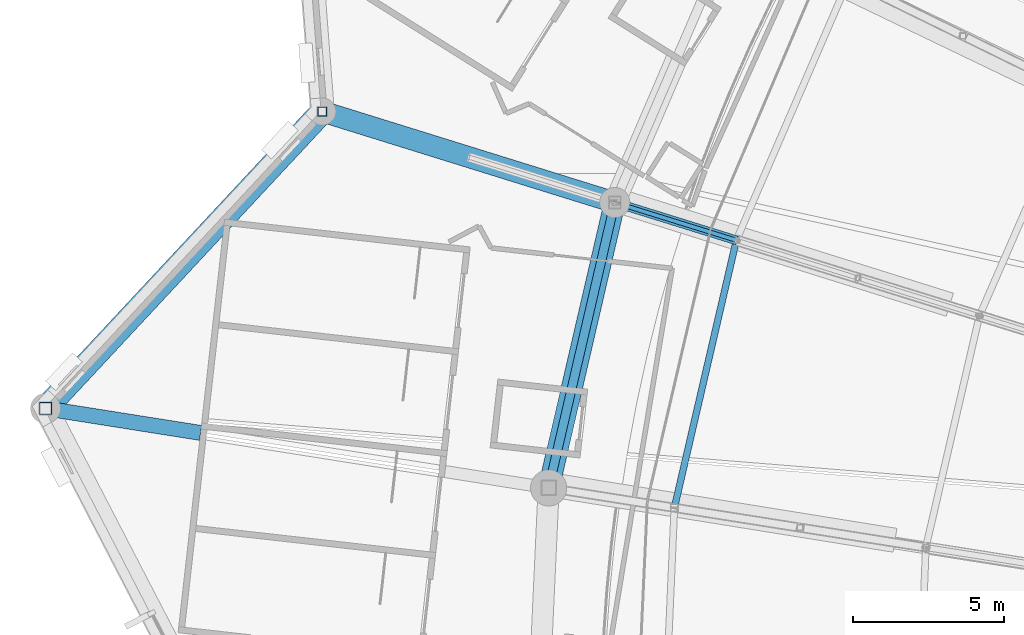
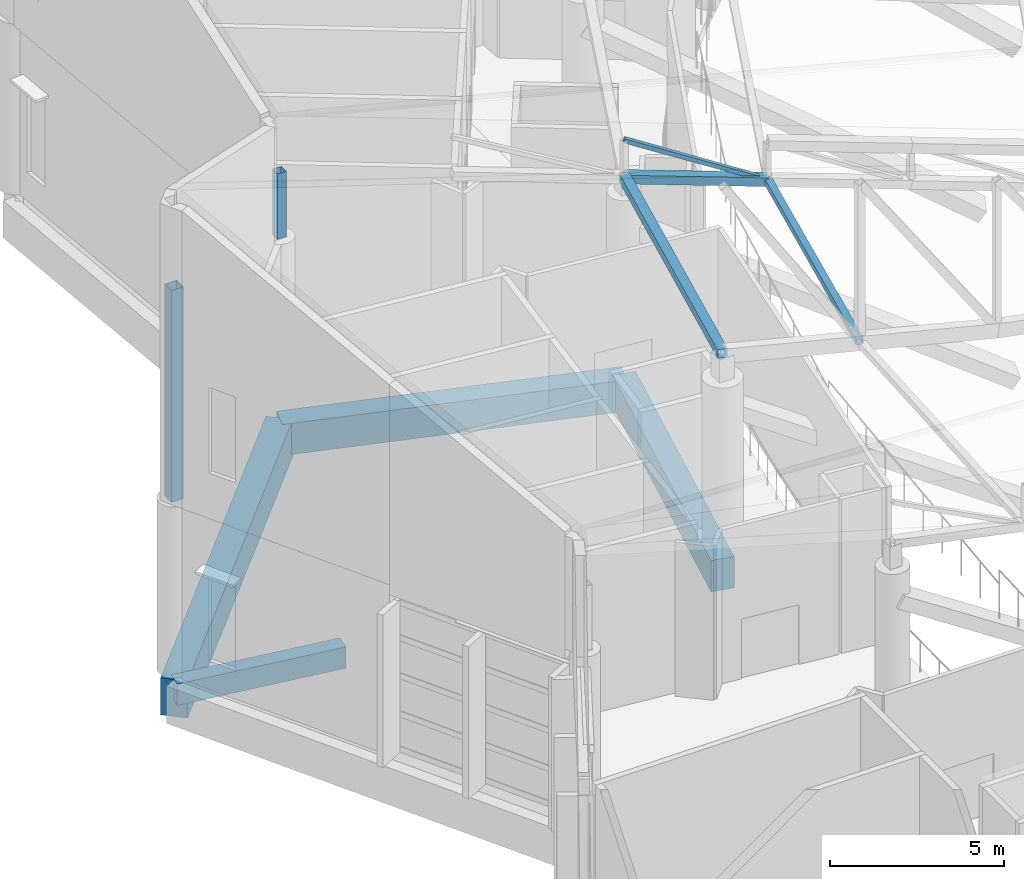
# One storey, part 127 of 344: 6 members, 4 beams.
"""IFC4 building model written with IfcOpenShell, lengths in metres."""

from ifc_helpers import new_model, si_unit, direction, frame, origin, origin_2d, place, context, subcontext, project, spatial, rectangle, hollow_rectangle, extrude, material, material_profile, profile_set, type_object, element, save


model = new_model("IFC4")

# Units and contexts
model_context = context("Model", 3, precision=1e-05, world=origin(), true_north=direction((0.0, 1.0)))
body_context = subcontext(model_context, "Body", "Model", "MODEL_VIEW")
ifc_project = project(units=[si_unit("LENGTHUNIT", "METRE"), si_unit("AREAUNIT", "SQUARE_METRE"), si_unit("VOLUMEUNIT", "CUBIC_METRE"), si_unit("PLANEANGLEUNIT", "RADIAN"), si_unit("MASSUNIT", "GRAM", prefix="KILO")], contexts=[model_context])

# Site, building, storey
site_placement = place(None, origin())
site = spatial("IfcSite", under=ifc_project, at=site_placement, CompositionType="ELEMENT")
building_placement = place(site_placement, origin())
building = spatial("IfcBuilding", under=site, at=building_placement, Name="Meseta Stadium", CompositionType="ELEMENT")
storey_placement = place(building_placement, frame((0.0, 0.0, 24.0)))
storey = spatial("IfcBuildingStorey", under=building, at=storey_placement, Name="L04", CompositionType="ELEMENT", Elevation=24.0)

# Beams
ifc_material_1 = material(Name="Concrete C40/50", Category="concrete")
ifc_material_profile_1 = material_profile(ifc_material_1, rectangle(XDim=0.5, YDim=0.75, at=origin_2d()), Name="RC 500x750")
ifc_profile_set_1 = profile_set([ifc_material_profile_1], Name="Concrete C40/50")
beam_type_1 = type_object("IfcBeamType", Name="RC beam 500x750", PredefinedType="BEAM", material=ifc_profile_set_1)
beam_1_placement = place(storey_placement, frame((-95.910400390625, 55.390380859375, -0.77490234375), z_axis=(-0.987742039994, 0.156095042932, 0.0), x_axis=(-0.156095042932, -0.987742039994, 0.0)))
element("IfcBeam", 1, at=beam_1_placement, inside=storey, type_object=beam_type_1, Name="L04 radial beam frame 28 line P to R", PredefinedType="BEAM", context=body_context, shape_type="SweptSolid", body=[
    extrude(rectangle(XDim=0.5, YDim=0.75, at=origin_2d()), origin(), (0.0, 0.0, 1.0), 5.205078125),
])
ifc_material_2 = material(Name="Concrete C40/50", Category="concrete")
ifc_material_profile_2 = material_profile(ifc_material_2, rectangle(XDim=0.699951171875, YDim=1.10009765625, at=origin_2d()), Name="RC 700x1100")
ifc_profile_set_2 = profile_set([ifc_material_profile_2], Name="Concrete C40/50")
beam_type_2 = type_object("IfcBeamType", Name="RC beam 700x1100", PredefinedType="BEAM", material=ifc_profile_set_2)
beam_2_placement = place(storey_placement, frame((-82.169189453125, 63.03369140625, -0.949951171875), z_axis=(-0.225749180431, -0.974185458491, 0.0), x_axis=(0.974185458491, -0.225749180431, 0.0)))
element("IfcBeam", 2, at=beam_2_placement, inside=storey, type_object=beam_type_2, Name="L04 ring beam frame 27 line P", PredefinedType="BEAM", context=body_context, shape_type="SweptSolid", body=[
    extrude(rectangle(XDim=0.699951171875, YDim=1.10009765625, at=origin_2d()), origin(), (0.0, 0.0, 1.0), 9.71923828125),
])
beam_3_placement = place(storey_placement, frame((-82.169189453125, 63.03369140625, -0.949951171875), z_axis=(-0.954886907796, 0.296969684176, 0.0), x_axis=(-0.296969684176, -0.954886907796, 0.0)))
element("IfcBeam", 3, at=beam_3_placement, inside=storey, type_object=beam_type_2, Name="L04 radial beam frame 27 line P to R", PredefinedType="BEAM", context=body_context, shape_type="SweptSolid", body=[
    extrude(rectangle(XDim=0.699951171875, YDim=1.10009765625, at=origin_2d()), origin(), (0.0, 0.0, 1.0), 10.162109375),
])
ifc_material_3 = material(Name="Concrete C40/50", Category="concrete")
ifc_material_profile_3 = material_profile(ifc_material_3, rectangle(XDim=0.800048828125, YDim=1.300048828125, at=origin_2d()), Name="RC 800x1300")
ifc_profile_set_3 = profile_set([ifc_material_profile_3], Name="Concrete C40/50")
beam_type_3 = type_object("IfcBeamType", Name="RC beam 800x1300", PredefinedType="BEAM", material=ifc_profile_set_3)
beam_4_placement = place(storey_placement, frame((-91.872802734375, 66.051513671875, -1.050048828125), z_axis=(-0.681797952889, -0.73154053301, 0.0), x_axis=(0.73154053301, -0.681797952889, 0.0)))
element("IfcBeam", 4, at=beam_4_placement, inside=storey, type_object=beam_type_3, Name="L04 ring beam frame 27 line R", PredefinedType="BEAM", context=body_context, shape_type="SweptSolid", body=[
    extrude(rectangle(XDim=0.800048828125, YDim=1.300048828125, at=origin_2d()), origin(), (0.0, 0.0, 1.0), 13.462890625),
])

# Members
ifc_material_4 = material(Name="Steel S355", Category="steel")
ifc_material_profile_4 = material_profile(ifc_material_4, hollow_rectangle(XDim=0.139892578125, YDim=0.139892578125, WallThickness=0.0048828125, at=origin_2d()), Name="SHS 140x140x5")
ifc_profile_set_4 = profile_set([ifc_material_profile_4], Name="Steel S355")
member_type_1 = type_object("IfcMemberType", Name="SHS 140x140x5 diagonal", PredefinedType="BRACE", material=ifc_profile_set_4)
member_1_placement = place(storey_placement, frame((-78.137451171875, 61.780029296875, 5.749267578125), z_axis=(-0.859290639384, 0.267194951752, 0.436149578498), x_axis=(-0.296924788831, -0.954900869084, 0.0)))
element("IfcMember", 5, at=member_1_placement, inside=storey, type_object=member_type_1, Name="ROOF TRUSS RT-27 diagonal", PredefinedType="BRACE", context=body_context, shape_type="SweptSolid", body=[
    extrude(hollow_rectangle(XDim=0.139892578125, YDim=0.139892578125, WallThickness=0.0048828125, at=origin_2d()), origin(), (0.0, 0.0, 1.0), 4.69189453125),
])
ifc_material_5 = material(Name="Steel S355", Category="steel")
ifc_material_profile_5 = material_profile(ifc_material_5, hollow_rectangle(XDim=0.219970703125, YDim=0.219970703125, WallThickness=0.008056640625, at=origin_2d()), Name="SHS 220x220x8")
ifc_profile_set_5 = profile_set([ifc_material_profile_5], Name="Steel S355")
member_type_2 = type_object("IfcMemberType", Name="SHS 220x220x8 strut", PredefinedType="STRUT", material=ifc_profile_set_5)
member_2_placement = place(storey_placement, frame((-78.137451171875, 61.780029296875, 5.749267578125), z_axis=(-0.225424131081, -0.973214264451, 0.045143732629), x_axis=(0.974207467001, -0.225654185068, 0.0)))
element("IfcMember", 6, at=member_2_placement, inside=storey, type_object=member_type_2, Name="ROOF TRUSS STRUT RT-27/28", PredefinedType="STRUT", context=body_context, shape_type="SweptSolid", body=[
    extrude(hollow_rectangle(XDim=0.219970703125, YDim=0.219970703125, WallThickness=0.008056640625, at=origin_2d()), origin(), (0.0, 0.0, 1.0), 9.117919921875),
])
ifc_material_6 = material(Name="Steel S355", Category="steel")
ifc_material_profile_6 = material_profile(ifc_material_6, hollow_rectangle(XDim=0.300048828125, YDim=0.300048828125, WallThickness=0.010009765625, at=origin_2d()), Name="SHS 300x300x10")
ifc_profile_set_6 = profile_set([ifc_material_profile_6], Name="Steel S355")
member_type_3 = type_object("IfcMemberType", Name="SHS 300x300x10 bottom chord", PredefinedType="CHORD", material=ifc_profile_set_6)
member_3_placement = place(storey_placement, frame((-78.137451171875, 61.780029296875, 5.749267578125), z_axis=(-0.940313598156, 0.292388901934, 0.174123712193), x_axis=(-0.296924788831, -0.954900869084, 0.0)))
element("IfcMember", 7, at=member_3_placement, inside=storey, type_object=member_type_3, Name="ROOF TRUSS RT-27 bottom chord", PredefinedType="CHORD", context=body_context, shape_type="SweptSolid", body=[
    extrude(hollow_rectangle(XDim=0.300048828125, YDim=0.300048828125, WallThickness=0.010009765625, at=origin_2d()), origin(), (0.0, 0.0, 1.0), 4.28759765625),
])
ifc_material_7 = material(Name="Steel S355", Category="steel")
ifc_material_profile_7 = material_profile(ifc_material_7, hollow_rectangle(XDim=0.300048828125, YDim=0.300048828125, WallThickness=0.010009765625, at=origin_2d()), Name="SHS 300x300x10")
ifc_profile_set_7 = profile_set([ifc_material_profile_7], Name="Steel S355")
member_type_4 = type_object("IfcMemberType", Name="SHS 300x300x10 pivot strut", PredefinedType="STRUT", material=ifc_profile_set_7)
member_4_placement = place(storey_placement, frame((-82.169189453125, 63.03369140625, 6.495849609375), z_axis=(-0.225638687062, -0.973708641555, 0.031283610112), x_axis=(0.974185458491, -0.225749180431, 0.0)))
element("IfcMember", 8, at=member_4_placement, inside=storey, type_object=member_type_4, Name="ROOF PIVOT STRUT RT-27/28", PredefinedType="STRUT", context=body_context, shape_type="SweptSolid", body=[
    extrude(hollow_rectangle(XDim=0.300048828125, YDim=0.300048828125, WallThickness=0.010009765625, at=origin_2d()), origin(), (0.0, 0.0, 1.0), 9.723876953125),
])
ifc_material_8 = material(Name="Steel S355", Category="steel")
ifc_material_profile_8 = material_profile(ifc_material_8, hollow_rectangle(XDim=0.300048828125, YDim=0.300048828125, WallThickness=0.010009765625, at=origin_2d()), Name="SHS 300x300x10")
ifc_profile_set_8 = profile_set([ifc_material_profile_8], Name="Steel S355")
member_type_5 = type_object("IfcMemberType", Name="SHS 300x300x10 rim post", PredefinedType="POST", material=ifc_profile_set_8)
member_5_placement = place(storey_placement, frame((-91.872802734375, 66.051513671875, 6.0), z_axis=(0.0, 0.0, 1.0), x_axis=(1.0, 0.0, 0.0)))
element("IfcMember", 9, at=member_5_placement, inside=storey, type_object=member_type_5, Name="ROOF RIM POST RT-27", PredefinedType="POST", context=body_context, shape_type="SweptSolid", body=[
    extrude(hollow_rectangle(XDim=0.300048828125, YDim=0.300048828125, WallThickness=0.010009765625, at=origin_2d()), origin(), (0.0, 0.0, 1.0), 2.2919921875),
])
ifc_material_9 = material(Name="Steel S355", Category="steel")
ifc_material_profile_9 = material_profile(ifc_material_9, hollow_rectangle(XDim=0.39990234375, YDim=0.39990234375, WallThickness=0.01416015625, at=origin_2d()), Name="SHS 400x400x14.2")
ifc_profile_set_9 = profile_set([ifc_material_profile_9], Name="Steel S355")
member_type_6 = type_object("IfcMemberType", Name="SHS 400x400x14.2 rim post", PredefinedType="POST", material=ifc_profile_set_9)
member_6_placement = place(storey_placement, frame((-101.0517578125, 56.202880859375, 6.0), z_axis=(0.0, 0.0, 1.0), x_axis=(1.0, 0.0, 0.0)))
element("IfcMember", 10, at=member_6_placement, inside=storey, type_object=member_type_6, Name="ROOF RIM POST RT-28", PredefinedType="POST", context=body_context, shape_type="SweptSolid", body=[
    extrude(hollow_rectangle(XDim=0.39990234375, YDim=0.39990234375, WallThickness=0.01416015625, at=origin_2d()), origin(), (0.0, 0.0, 1.0), 7.43505859375),
])

save(model, "model.ifc")
